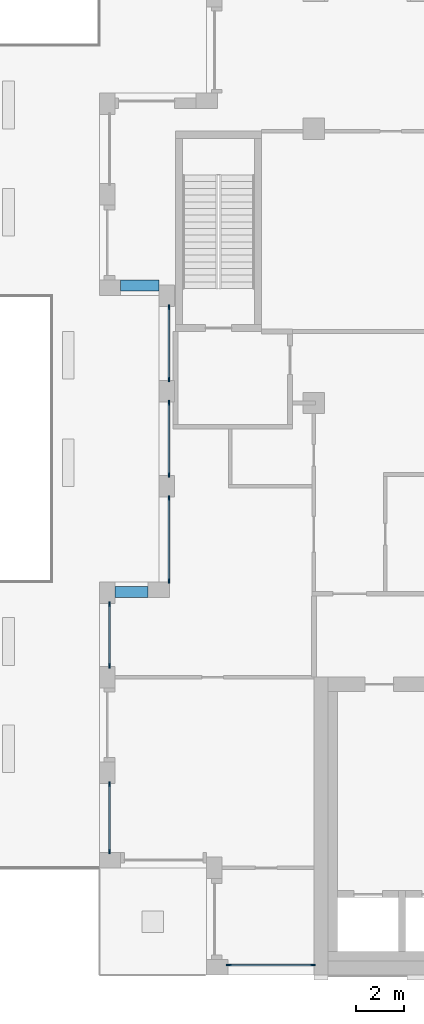
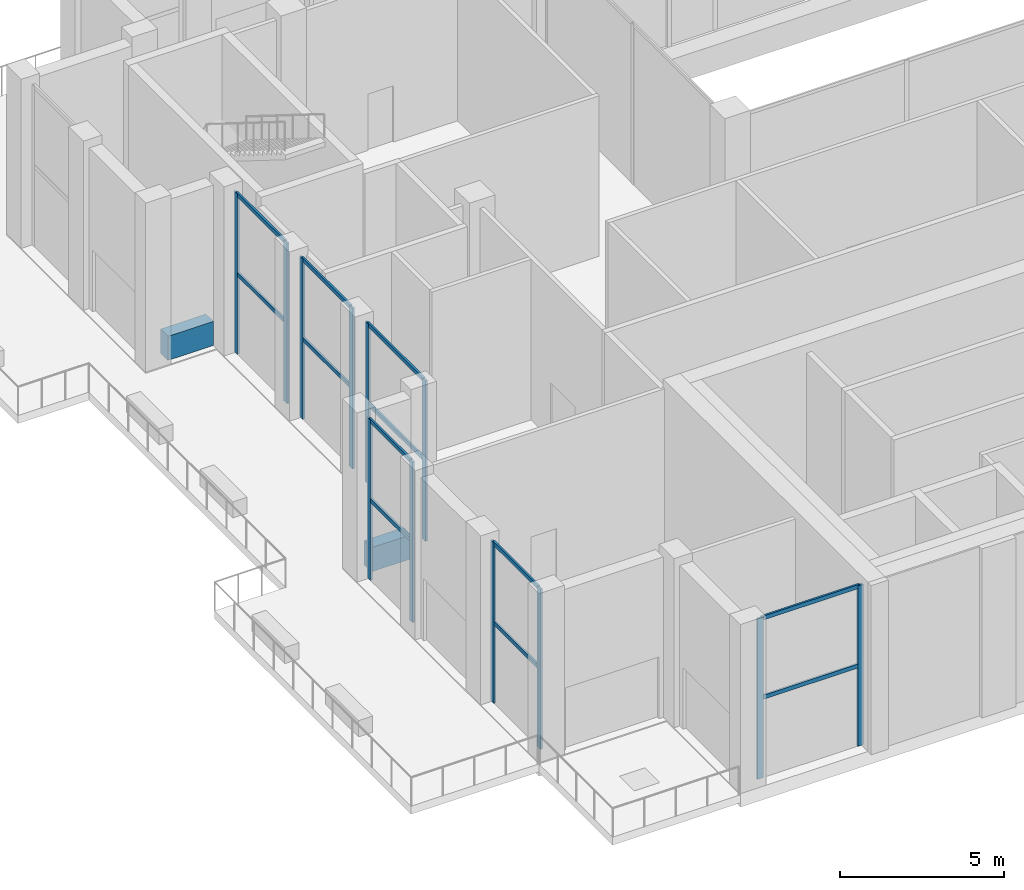
# One storey, part 2 of 18: 24 members, 2 beams, 6 elements without a shape of their own.
"""IFC4 building model written with IfcOpenShell, lengths in metres."""

from ifc_helpers import new_model, si_unit, direction, frame, origin, origin_2d, place, context, subcontext, project, spatial, rectangle, extrude, material, layer, layer_set, material_profile, profile_set, type_object, element, aggregate, save


model = new_model("IFC4")

# Units and contexts
model_context = context("Model", 3, precision=1e-05, world=origin(), true_north=direction((0.0, 1.0)))
body_context = subcontext(model_context, "Body", "Model", "MODEL_VIEW")
ifc_project = project(units=[si_unit("LENGTHUNIT", "METRE"), si_unit("AREAUNIT", "SQUARE_METRE"), si_unit("VOLUMEUNIT", "CUBIC_METRE"), si_unit("PLANEANGLEUNIT", "RADIAN"), si_unit("MASSUNIT", "GRAM", prefix="KILO")], contexts=[model_context])

# Site, building, storey
site_placement = place(None, origin())
site = spatial("IfcSite", under=ifc_project, at=site_placement, CompositionType="ELEMENT")
building_placement = place(site_placement, origin())
building = spatial("IfcBuilding", under=site, at=building_placement, Name="Brigalow Station Residences", CompositionType="ELEMENT")
storey_placement = place(building_placement, frame((0.0, 0.0, 191.699951171875)))
storey = spatial("IfcBuildingStorey", under=building, at=storey_placement, Name="L55", CompositionType="ELEMENT", Elevation=191.699951171875)

# Curtain wall, members
ifc_material_1 = material(Name="Aluminium", Category="aluminium")
ifc_layer = layer(ifc_material_1, 0.199951171875)
ifc_layer_set = layer_set([ifc_layer], Name="SKY FLOOR GLAZING CURTAIN WALL")
curtain_wall_type = type_object("IfcCurtainWallType", Name="SKY FLOOR GLAZING CURTAIN WALL", PredefinedType="NOTDEFINED", material=ifc_layer_set)
curtain_wall_1_placement = place(storey_placement, origin())
curtain_wall_1 = element("IfcCurtainWall", 1, at=curtain_wall_1_placement, inside=storey, type_object=curtain_wall_type, Name="L55/cw/W-L55-1", PredefinedType="NOTDEFINED")
ifc_material_2 = material(Name="Aluminium", Category="aluminium")
ifc_material_profile_1 = material_profile(ifc_material_2, rectangle(XDim=0.070068359375, YDim=0.199951171875, at=origin_2d()), Name="SKY FLOOR GLAZING MULLION 70x200")
ifc_profile_set_1 = profile_set([ifc_material_profile_1], Name="Aluminium")
member_type_1 = type_object("IfcMemberType", Name="SKY FLOOR GLAZING MULLION 70x200", PredefinedType="MULLION", material=ifc_profile_set_1)
member_1_placement = place(storey_placement, frame((14.43505859375, 0.425048828125, 0.0), z_axis=(0.0, 0.0, 1.0), x_axis=(0.0, 1.0, 0.0)))
member_1 = element("IfcMember", 2, at=member_1_placement, type_object=member_type_1, Name="L55/cw/W-L55-1/M00", PredefinedType="MULLION", context=body_context, shape_type="SweptSolid", body=[
    extrude(rectangle(XDim=0.070068359375, YDim=0.199951171875, at=origin_2d()), origin(), (0.0, 0.0, 1.0), 5.97998046875),
])
member_2_placement = place(storey_placement, frame((17.965087890625, 0.425048828125, 0.0), z_axis=(0.0, 0.0, 1.0), x_axis=(0.0, 1.0, 0.0)))
member_2 = element("IfcMember", 3, at=member_2_placement, type_object=member_type_1, Name="L55/cw/W-L55-1/M01", PredefinedType="MULLION", context=body_context, shape_type="SweptSolid", body=[
    extrude(rectangle(XDim=0.070068359375, YDim=0.199951171875, at=origin_2d()), origin(), (0.0, 0.0, 1.0), 5.97998046875),
])

curtain_wall_2_placement = place(storey_placement, origin())
curtain_wall_2 = element("IfcCurtainWall", 4, at=curtain_wall_2_placement, inside=storey, type_object=curtain_wall_type, Name="L55/cw/W-L55-37", PredefinedType="NOTDEFINED")
member_3_placement = place(storey_placement, frame((11.925048828125, 28.014892578125, 0.0), z_axis=(0.0, 0.0, 1.0), x_axis=(1.0, 0.0, 0.0)))
member_3 = element("IfcMember", 5, at=member_3_placement, type_object=member_type_1, Name="L55/cw/W-L55-37/M00", PredefinedType="MULLION", context=body_context, shape_type="SweptSolid", body=[
    extrude(rectangle(XDim=0.070068359375, YDim=0.199951171875, at=origin_2d()), origin(), (0.0, 0.0, 1.0), 5.97998046875),
])
member_4_placement = place(storey_placement, frame((11.925048828125, 24.985107421875, 0.0), z_axis=(0.0, 0.0, 1.0), x_axis=(1.0, 0.0, 0.0)))
member_4 = element("IfcMember", 6, at=member_4_placement, type_object=member_type_1, Name="L55/cw/W-L55-37/M01", PredefinedType="MULLION", context=body_context, shape_type="SweptSolid", body=[
    extrude(rectangle(XDim=0.070068359375, YDim=0.199951171875, at=origin_2d()), origin(), (0.0, 0.0, 1.0), 5.97998046875),
])

curtain_wall_3_placement = place(storey_placement, origin())
curtain_wall_3 = element("IfcCurtainWall", 7, at=curtain_wall_3_placement, inside=storey, type_object=curtain_wall_type, Name="L55/cw/W-L55-38", PredefinedType="NOTDEFINED")
member_5_placement = place(storey_placement, frame((11.925048828125, 24.014892578125, 0.0), z_axis=(0.0, 0.0, 1.0), x_axis=(1.0, 0.0, 0.0)))
member_5 = element("IfcMember", 8, at=member_5_placement, type_object=member_type_1, Name="L55/cw/W-L55-38/M00", PredefinedType="MULLION", context=body_context, shape_type="SweptSolid", body=[
    extrude(rectangle(XDim=0.070068359375, YDim=0.199951171875, at=origin_2d()), origin(), (0.0, 0.0, 1.0), 5.97998046875),
])
member_6_placement = place(storey_placement, frame((11.925048828125, 20.985107421875, 0.0), z_axis=(0.0, 0.0, 1.0), x_axis=(1.0, 0.0, 0.0)))
member_6 = element("IfcMember", 9, at=member_6_placement, type_object=member_type_1, Name="L55/cw/W-L55-38/M01", PredefinedType="MULLION", context=body_context, shape_type="SweptSolid", body=[
    extrude(rectangle(XDim=0.070068359375, YDim=0.199951171875, at=origin_2d()), origin(), (0.0, 0.0, 1.0), 5.97998046875),
])

curtain_wall_4_placement = place(storey_placement, origin())
curtain_wall_4 = element("IfcCurtainWall", 10, at=curtain_wall_4_placement, inside=storey, type_object=curtain_wall_type, Name="L55/cw/W-L55-39", PredefinedType="NOTDEFINED")
member_7_placement = place(storey_placement, frame((11.925048828125, 20.014892578125, 0.0), z_axis=(0.0, 0.0, 1.0), x_axis=(1.0, 0.0, 0.0)))
member_7 = element("IfcMember", 11, at=member_7_placement, type_object=member_type_1, Name="L55/cw/W-L55-39/M00", PredefinedType="MULLION", context=body_context, shape_type="SweptSolid", body=[
    extrude(rectangle(XDim=0.070068359375, YDim=0.199951171875, at=origin_2d()), origin(), (0.0, 0.0, 1.0), 5.97998046875),
])
member_8_placement = place(storey_placement, frame((11.925048828125, 16.534912109375, 0.0), z_axis=(0.0, 0.0, 1.0), x_axis=(1.0, 0.0, 0.0)))
member_8 = element("IfcMember", 12, at=member_8_placement, type_object=member_type_1, Name="L55/cw/W-L55-39/M01", PredefinedType="MULLION", context=body_context, shape_type="SweptSolid", body=[
    extrude(rectangle(XDim=0.070068359375, YDim=0.199951171875, at=origin_2d()), origin(), (0.0, 0.0, 1.0), 5.97998046875),
])

curtain_wall_5_placement = place(storey_placement, origin())
curtain_wall_5 = element("IfcCurtainWall", 13, at=curtain_wall_5_placement, inside=storey, type_object=curtain_wall_type, Name="L55/cw/W-L55-41", PredefinedType="NOTDEFINED")
member_9_placement = place(storey_placement, frame((9.425048828125, 15.56494140625, 0.0), z_axis=(0.0, 0.0, 1.0), x_axis=(1.0, 0.0, 0.0)))
member_9 = element("IfcMember", 14, at=member_9_placement, type_object=member_type_1, Name="L55/cw/W-L55-41/M00", PredefinedType="MULLION", context=body_context, shape_type="SweptSolid", body=[
    extrude(rectangle(XDim=0.070068359375, YDim=0.199951171875, at=origin_2d()), origin(), (0.0, 0.0, 1.0), 5.97998046875),
])
member_10_placement = place(storey_placement, frame((9.425048828125, 12.985107421875, 0.0), z_axis=(0.0, 0.0, 1.0), x_axis=(1.0, 0.0, 0.0)))
member_10 = element("IfcMember", 15, at=member_10_placement, type_object=member_type_1, Name="L55/cw/W-L55-41/M01", PredefinedType="MULLION", context=body_context, shape_type="SweptSolid", body=[
    extrude(rectangle(XDim=0.070068359375, YDim=0.199951171875, at=origin_2d()), origin(), (0.0, 0.0, 1.0), 5.97998046875),
])

curtain_wall_6_placement = place(storey_placement, origin())
curtain_wall_6 = element("IfcCurtainWall", 16, at=curtain_wall_6_placement, inside=storey, type_object=curtain_wall_type, Name="L55/cw/W-L55-43", PredefinedType="NOTDEFINED")
member_11_placement = place(storey_placement, frame((9.425048828125, 8.014892578125, 0.0), z_axis=(0.0, 0.0, 1.0), x_axis=(1.0, 0.0, 0.0)))
member_11 = element("IfcMember", 17, at=member_11_placement, type_object=member_type_1, Name="L55/cw/W-L55-43/M00", PredefinedType="MULLION", context=body_context, shape_type="SweptSolid", body=[
    extrude(rectangle(XDim=0.070068359375, YDim=0.199951171875, at=origin_2d()), origin(), (0.0, 0.0, 1.0), 5.97998046875),
])
member_12_placement = place(storey_placement, frame((9.425048828125, 5.18505859375, 0.0), z_axis=(0.0, 0.0, 1.0), x_axis=(1.0, 0.0, 0.0)))
member_12 = element("IfcMember", 18, at=member_12_placement, type_object=member_type_1, Name="L55/cw/W-L55-43/M01", PredefinedType="MULLION", context=body_context, shape_type="SweptSolid", body=[
    extrude(rectangle(XDim=0.070068359375, YDim=0.199951171875, at=origin_2d()), origin(), (0.0, 0.0, 1.0), 5.97998046875),
])

# Member
ifc_material_3 = material(Name="Aluminium", Category="aluminium")
ifc_material_profile_2 = material_profile(ifc_material_3, rectangle(XDim=0.070068359375, YDim=0.14990234375, at=origin_2d()), Name="SKY FLOOR GLAZING TRANSOM 70x150")
ifc_profile_set_2 = profile_set([ifc_material_profile_2], Name="Aluminium")
member_type_2 = type_object("IfcMemberType", Name="SKY FLOOR GLAZING TRANSOM 70x150", PredefinedType="USERDEFINED", material=ifc_profile_set_2)
member_13_placement = place(storey_placement, frame((14.469970703125, 0.425048828125, 2.989990234375), z_axis=(1.0, 0.0, 0.0), x_axis=(0.0, 1.0, 0.0)))
member_13 = element("IfcMember", 19, at=member_13_placement, type_object=member_type_2, Name="L55/cw/W-L55-1/T00-00", ObjectType="TRANSOM", PredefinedType="USERDEFINED", context=body_context, shape_type="SweptSolid", body=[
    extrude(rectangle(XDim=0.070068359375, YDim=0.14990234375, at=origin_2d()), origin(), (0.0, 0.0, 1.0), 3.4599609375),
])

member_14_placement = place(storey_placement, frame((14.469970703125, 0.425048828125, 5.945068359375), z_axis=(1.0, 0.0, 0.0), x_axis=(0.0, 1.0, 0.0)))
member_14 = element("IfcMember", 20, at=member_14_placement, type_object=member_type_2, Name="L55/cw/W-L55-1/T00-01", ObjectType="TRANSOM", PredefinedType="USERDEFINED", context=body_context, shape_type="SweptSolid", body=[
    extrude(rectangle(XDim=0.070068359375, YDim=0.14990234375, at=origin_2d()), origin(), (0.0, 0.0, 1.0), 3.4599609375),
])

aggregate(curtain_wall_1, [member_1, member_2, member_13, member_14])

member_15_placement = place(storey_placement, frame((11.925048828125, 27.97998046875, 2.989990234375), z_axis=(0.0, -1.0, 0.0), x_axis=(1.0, 0.0, 0.0)))
member_15 = element("IfcMember", 21, at=member_15_placement, type_object=member_type_2, Name="L55/cw/W-L55-37/T00-00", ObjectType="TRANSOM", PredefinedType="USERDEFINED", context=body_context, shape_type="SweptSolid", body=[
    extrude(rectangle(XDim=0.070068359375, YDim=0.14990234375, at=origin_2d()), origin(), (0.0, 0.0, 1.0), 2.9599609375),
])

member_16_placement = place(storey_placement, frame((11.925048828125, 27.97998046875, 5.945068359375), z_axis=(0.0, -1.0, 0.0), x_axis=(1.0, 0.0, 0.0)))
member_16 = element("IfcMember", 22, at=member_16_placement, type_object=member_type_2, Name="L55/cw/W-L55-37/T00-01", ObjectType="TRANSOM", PredefinedType="USERDEFINED", context=body_context, shape_type="SweptSolid", body=[
    extrude(rectangle(XDim=0.070068359375, YDim=0.14990234375, at=origin_2d()), origin(), (0.0, 0.0, 1.0), 2.9599609375),
])

aggregate(curtain_wall_2, [member_3, member_4, member_15, member_16])

member_17_placement = place(storey_placement, frame((11.925048828125, 23.97998046875, 2.989990234375), z_axis=(0.0, -1.0, 0.0), x_axis=(1.0, 0.0, 0.0)))
member_17 = element("IfcMember", 23, at=member_17_placement, type_object=member_type_2, Name="L55/cw/W-L55-38/T00-00", ObjectType="TRANSOM", PredefinedType="USERDEFINED", context=body_context, shape_type="SweptSolid", body=[
    extrude(rectangle(XDim=0.070068359375, YDim=0.14990234375, at=origin_2d()), origin(), (0.0, 0.0, 1.0), 2.9599609375),
])

member_18_placement = place(storey_placement, frame((11.925048828125, 23.97998046875, 5.945068359375), z_axis=(0.0, -1.0, 0.0), x_axis=(1.0, 0.0, 0.0)))
member_18 = element("IfcMember", 24, at=member_18_placement, type_object=member_type_2, Name="L55/cw/W-L55-38/T00-01", ObjectType="TRANSOM", PredefinedType="USERDEFINED", context=body_context, shape_type="SweptSolid", body=[
    extrude(rectangle(XDim=0.070068359375, YDim=0.14990234375, at=origin_2d()), origin(), (0.0, 0.0, 1.0), 2.9599609375),
])

aggregate(curtain_wall_3, [member_5, member_6, member_17, member_18])

member_19_placement = place(storey_placement, frame((11.925048828125, 19.97998046875, 2.989990234375), z_axis=(0.0, -1.0, 0.0), x_axis=(1.0, 0.0, 0.0)))
member_19 = element("IfcMember", 25, at=member_19_placement, type_object=member_type_2, Name="L55/cw/W-L55-39/T00-00", ObjectType="TRANSOM", PredefinedType="USERDEFINED", context=body_context, shape_type="SweptSolid", body=[
    extrude(rectangle(XDim=0.070068359375, YDim=0.14990234375, at=origin_2d()), origin(), (0.0, 0.0, 1.0), 3.409912109375),
])

member_20_placement = place(storey_placement, frame((11.925048828125, 19.97998046875, 5.945068359375), z_axis=(0.0, -1.0, 0.0), x_axis=(1.0, 0.0, 0.0)))
member_20 = element("IfcMember", 26, at=member_20_placement, type_object=member_type_2, Name="L55/cw/W-L55-39/T00-01", ObjectType="TRANSOM", PredefinedType="USERDEFINED", context=body_context, shape_type="SweptSolid", body=[
    extrude(rectangle(XDim=0.070068359375, YDim=0.14990234375, at=origin_2d()), origin(), (0.0, 0.0, 1.0), 3.409912109375),
])

aggregate(curtain_wall_4, [member_7, member_8, member_19, member_20])

member_21_placement = place(storey_placement, frame((9.425048828125, 15.530029296875, 2.989990234375), z_axis=(0.0, -1.0, 0.0), x_axis=(1.0, 0.0, 0.0)))
member_21 = element("IfcMember", 27, at=member_21_placement, type_object=member_type_2, Name="L55/cw/W-L55-41/T00-00", ObjectType="TRANSOM", PredefinedType="USERDEFINED", context=body_context, shape_type="SweptSolid", body=[
    extrude(rectangle(XDim=0.070068359375, YDim=0.14990234375, at=origin_2d()), origin(), (0.0, 0.0, 1.0), 2.510009765625),
])

member_22_placement = place(storey_placement, frame((9.425048828125, 15.530029296875, 5.945068359375), z_axis=(0.0, -1.0, 0.0), x_axis=(1.0, 0.0, 0.0)))
member_22 = element("IfcMember", 28, at=member_22_placement, type_object=member_type_2, Name="L55/cw/W-L55-41/T00-01", ObjectType="TRANSOM", PredefinedType="USERDEFINED", context=body_context, shape_type="SweptSolid", body=[
    extrude(rectangle(XDim=0.070068359375, YDim=0.14990234375, at=origin_2d()), origin(), (0.0, 0.0, 1.0), 2.510009765625),
])

aggregate(curtain_wall_5, [member_9, member_10, member_21, member_22])

member_23_placement = place(storey_placement, frame((9.425048828125, 7.97998046875, 2.989990234375), z_axis=(0.0, -1.0, 0.0), x_axis=(1.0, 0.0, 0.0)))
member_23 = element("IfcMember", 29, at=member_23_placement, type_object=member_type_2, Name="L55/cw/W-L55-43/T00-00", ObjectType="TRANSOM", PredefinedType="USERDEFINED", context=body_context, shape_type="SweptSolid", body=[
    extrude(rectangle(XDim=0.070068359375, YDim=0.14990234375, at=origin_2d()), origin(), (0.0, 0.0, 1.0), 2.760009765625),
])

member_24_placement = place(storey_placement, frame((9.425048828125, 7.97998046875, 5.945068359375), z_axis=(0.0, -1.0, 0.0), x_axis=(1.0, 0.0, 0.0)))
member_24 = element("IfcMember", 30, at=member_24_placement, type_object=member_type_2, Name="L55/cw/W-L55-43/T00-01", ObjectType="TRANSOM", PredefinedType="USERDEFINED", context=body_context, shape_type="SweptSolid", body=[
    extrude(rectangle(XDim=0.070068359375, YDim=0.14990234375, at=origin_2d()), origin(), (0.0, 0.0, 1.0), 2.760009765625),
])

aggregate(curtain_wall_6, [member_11, member_12, member_23, member_24])

# Beams
ifc_material_4 = material(Name="Concrete C50", Category="concrete")
ifc_material_profile_3 = material_profile(ifc_material_4, rectangle(XDim=0.449951171875, YDim=0.89990234375, at=origin_2d()), Name="RC450x900")
ifc_profile_set_3 = profile_set([ifc_material_profile_3], Name="Concrete C50")
beam_type = type_object("IfcBeamType", Name="SPANDREL BEAM 450x900 C50", PredefinedType="SPANDREL", material=ifc_profile_set_3)
beam_1_placement = place(storey_placement, frame((9.89990234375, 28.925048828125, 0.449951171875), z_axis=(1.0, 0.0, 0.0), x_axis=(0.0, 1.0, 0.0)))
element("IfcBeam", 31, at=beam_1_placement, inside=storey, type_object=beam_type, Name="L55/spandrel/W-L55-36", PredefinedType="SPANDREL", context=body_context, shape_type="SweptSolid", body=[
    extrude(rectangle(XDim=0.449951171875, YDim=0.89990234375, at=origin_2d()), origin(), (0.0, 0.0, 1.0), 1.60009765625),
])
beam_2_placement = place(storey_placement, frame((11.050048828125, 16.074951171875, 0.449951171875), z_axis=(-1.0, 0.0, 0.0), x_axis=(0.0, -1.0, 0.0)))
element("IfcBeam", 32, at=beam_2_placement, inside=storey, type_object=beam_type, Name="L55/spandrel/W-L55-40", PredefinedType="SPANDREL", context=body_context, shape_type="SweptSolid", body=[
    extrude(rectangle(XDim=0.449951171875, YDim=0.89990234375, at=origin_2d()), origin(), (0.0, 0.0, 1.0), 1.400146484375),
])

save(model, "model.ifc")
